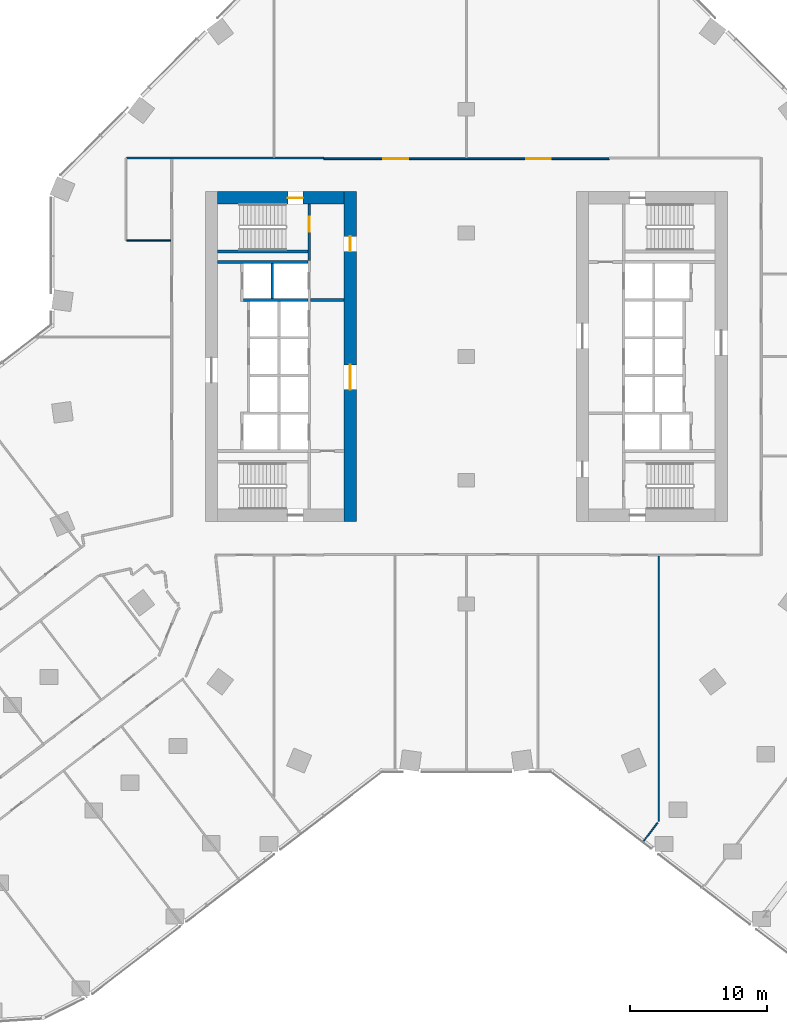
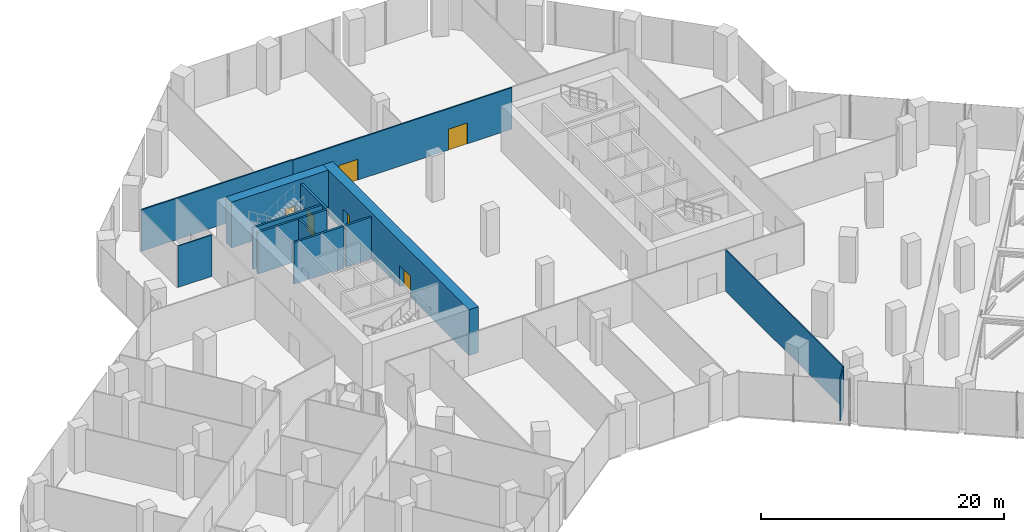
# One storey, part 25 of 30: 13 walls, 6 doors, 6 openings.
"""IFC4 building model written with IfcOpenShell, lengths in metres."""

from ifc_helpers import new_model, si_unit, direction, frame, frame_2d, origin, place, context, subcontext, project, spatial, rectangle, extrude, material, layer, layer_set, type_object, element, fill, save


model = new_model("IFC4")

# Units and contexts
model_context = context("Model", 3, precision=1e-05, world=origin(), true_north=direction((0.0, 1.0)))
body_context = subcontext(model_context, "Body", "Model", "MODEL_VIEW")
ifc_project = project(units=[si_unit("LENGTHUNIT", "METRE"), si_unit("AREAUNIT", "SQUARE_METRE"), si_unit("VOLUMEUNIT", "CUBIC_METRE"), si_unit("PLANEANGLEUNIT", "RADIAN"), si_unit("MASSUNIT", "GRAM", prefix="KILO")], contexts=[model_context])

# Site, building, storey
site_placement = place(None, origin())
site = spatial("IfcSite", under=ifc_project, at=site_placement, CompositionType="ELEMENT")
building_placement = place(site_placement, origin())
building = spatial("IfcBuilding", under=site, at=building_placement, Name="Orlundy Tower", CompositionType="ELEMENT")
storey_placement = place(building_placement, frame((0.0, 0.0, 20.5)))
storey = spatial("IfcBuildingStorey", under=building, at=storey_placement, Name="L03", CompositionType="ELEMENT", Elevation=20.5)

# Wall, opening, door
ifc_material_1 = material(Name="Concrete C80/95", Category="concrete")
ifc_layer_1 = layer(ifc_material_1, 0.89990234375)
ifc_layer_set_1 = layer_set([ifc_layer_1], Name="CORE WALL 900 C80/95")
wall_type_1 = type_object("IfcWallType", Name="CORE WALL 900 C80/95", PredefinedType="SHEAR", material=ifc_layer_set_1)
wall_1_placement = place(storey_placement, frame((-18.10009765625, 11.550048828125, 0.0), z_axis=(0.0, 0.0, 1.0), x_axis=(1.0, 0.0, 0.0)))
wall_1 = element("IfcWall", 1, at=wall_1_placement, inside=storey, type_object=wall_type_1, Name="Core wall W-N L03", PredefinedType="SHEAR", context=body_context, shape_type="SweptSolid", body=[
    extrude(rectangle(XDim=9.2001953125, YDim=0.89990234375, at=frame_2d((4.60009765625, 0.0))), origin(), (0.0, 0.0, 1.0), 4.60009765625),
])
opening_1_placement = place(wall_1_placement, frame((5.10009765625, 0.0, 0.0)))
opening_1 = element("IfcOpeningElement", 2, at=opening_1_placement, cuts=wall_1, Name="Opening 04012", PredefinedType="OPENING", context=body_context, shape_type="SweptSolid", body=[
    extrude(rectangle(XDim=1.10009765625, YDim=2.10009765625, at=frame_2d((0.550048828125, 1.050048828125))), frame((0.0, 0.4599609375, 0.0), z_axis=(0.0, -1.0, 0.0), x_axis=(1.0, 0.0, 0.0)), (0.0, 0.0, 1.0), 0.919921875),
])
ifc_material_2 = material(Name="Steel door set", Category="steel")
door_type_1 = type_object("IfcDoorType", Name="Stair Door 1100x2100", OperationType="SINGLE_SWING_LEFT", PredefinedType="DOOR", material=ifc_material_2)
door_1_placement = place(opening_1_placement, origin())
door_1 = element("IfcDoor", 3, at=door_1_placement, inside=storey, type_object=door_type_1, Name="Stair door 04012", OperationType="SINGLE_SWING_RIGHT", OverallHeight=2.10009765625, OverallWidth=1.10009765625, PredefinedType="DOOR", context=body_context, shape_type="SweptSolid", body=[
    extrude(rectangle(XDim=1.10009765625, YDim=2.10009765625, at=frame_2d((0.550048828125, 1.050048828125))), frame((0.0, 0.02490234375, 0.0), z_axis=(0.0, -1.0, 0.0), x_axis=(1.0, 0.0, 0.0)), (0.0, 0.0, 1.0), 0.050048828125),
])
fill(opening_1, door_1)

# Wall, openings, doors
wall_2_placement = place(storey_placement, frame((-8.449951171875, -12.0, 0.0), z_axis=(0.0, 0.0, 1.0), x_axis=(0.0, 1.0, 0.0)))
wall_2 = element("IfcWall", 4, at=wall_2_placement, inside=storey, type_object=wall_type_1, Name="Core wall W-E L03", PredefinedType="SHEAR", context=body_context, shape_type="SweptSolid", body=[
    extrude(rectangle(XDim=24.0, YDim=0.89990234375, at=frame_2d((12.0, 0.0))), origin(), (0.0, 0.0, 1.0), 4.60009765625),
])
opening_2_placement = place(wall_2_placement, frame((9.60009765625, 0.0, 0.0)))
opening_2 = element("IfcOpeningElement", 5, at=opening_2_placement, cuts=wall_2, Name="Opening 04009", PredefinedType="OPENING", context=body_context, shape_type="SweptSolid", body=[
    extrude(rectangle(XDim=1.800048828125, YDim=2.10009765625, at=frame_2d((0.89990234375, 1.050048828125))), frame((0.0, 0.4599609375, 0.0), z_axis=(0.0, -1.0, 0.0), x_axis=(1.0, 0.0, 0.0)), (0.0, 0.0, 1.0), 0.919921875),
])
opening_3_placement = place(wall_2_placement, frame((19.64990234375, 0.0, 0.0)))
opening_3 = element("IfcOpeningElement", 6, at=opening_3_placement, cuts=wall_2, Name="Opening 04011", PredefinedType="OPENING", context=body_context, shape_type="SweptSolid", body=[
    extrude(rectangle(XDim=1.10009765625, YDim=2.10009765625, at=frame_2d((0.550048828125, 1.050048828125))), frame((0.0, 0.4599609375, 0.0), z_axis=(0.0, -1.0, 0.0), x_axis=(1.0, 0.0, 0.0)), (0.0, 0.0, 1.0), 0.919921875),
])
ifc_material_3 = material(Name="Steel door set", Category="steel")
door_type_2 = type_object("IfcDoorType", Name="Fire-fighting Lobby Door 1100x2100", OperationType="SINGLE_SWING_LEFT", PredefinedType="DOOR", material=ifc_material_3)
door_2_placement = place(opening_3_placement, origin())
door_2 = element("IfcDoor", 7, at=door_2_placement, inside=storey, type_object=door_type_2, Name="Fire-fighting lobby door 04011", OperationType="SINGLE_SWING_RIGHT", OverallHeight=2.10009765625, OverallWidth=1.10009765625, PredefinedType="DOOR", context=body_context, shape_type="SweptSolid", body=[
    extrude(rectangle(XDim=1.10009765625, YDim=2.10009765625, at=frame_2d((0.550048828125, 1.050048828125))), frame((0.0, 0.02490234375, 0.0), z_axis=(0.0, -1.0, 0.0), x_axis=(1.0, 0.0, 0.0)), (0.0, 0.0, 1.0), 0.050048828125),
])
fill(opening_3, door_2)
ifc_material_4 = material(Name="Timber door set", Category="wood")
door_type_3 = type_object("IfcDoorType", Name="Lobby Door 1800x2100", OperationType="DOUBLE_DOOR_DOUBLE_SWING", PredefinedType="DOOR", material=ifc_material_4)
door_3_placement = place(opening_2_placement, origin())
door_3 = element("IfcDoor", 8, at=door_3_placement, inside=storey, type_object=door_type_3, Name="Lift lobby door 04009", OperationType="SINGLE_SWING_LEFT", OverallHeight=2.10009765625, OverallWidth=1.800048828125, PredefinedType="DOOR", context=body_context, shape_type="SweptSolid", body=[
    extrude(rectangle(XDim=1.800048828125, YDim=2.10009765625, at=frame_2d((0.89990234375, 1.050048828125))), frame((0.0, 0.02490234375, 0.0), z_axis=(0.0, -1.0, 0.0), x_axis=(1.0, 0.0, 0.0)), (0.0, 0.0, 1.0), 0.050048828125),
])
fill(opening_2, door_3)

# Walls
ifc_material_5 = material(Name="Gypsum board partition")
ifc_layer_2 = layer(ifc_material_5, 0.10009765625)
ifc_layer_set_2 = layer_set([ifc_layer_2], Name="Floor partition 100")
wall_type_2 = type_object("IfcWallType", Name="Floor partition 100", PredefinedType="PARTITIONING", material=ifc_layer_set_2)
wall_3_placement = place(storey_placement, frame((-24.73193359375, 8.448974609375, 0.0), z_axis=(0.0, 0.0, 1.0), x_axis=(1.0, 0.0, 0.0)))
element("IfcWall", 9, at=wall_3_placement, inside=storey, type_object=wall_type_2, Name="wall-int-L03-031", PredefinedType="PARTITIONING", context=body_context, shape_type="SweptSolid", body=[
    extrude(rectangle(XDim=3.219970703125, YDim=0.10009765625, at=frame_2d((1.60986328125, 0.0))), origin(), (0.0, 0.0, 1.0), 4.159912109375),
])
wall_4_placement = place(storey_placement, frame((12.81689453125, -35.35888671875, 0.0), z_axis=(0.0, 0.0, 1.0), x_axis=(0.608665559583, 0.793426894287, 0.0)))
element("IfcWall", 10, at=wall_4_placement, inside=storey, type_object=wall_type_2, Name="wall-int-L03-053", PredefinedType="PARTITIONING", context=body_context, shape_type="SweptSolid", body=[
    extrude(rectangle(XDim=1.795654296875, YDim=0.10009765625, at=frame_2d((0.89794921875, 0.0))), origin(), (0.0, 0.0, 1.0), 4.159912109375),
])
wall_5_placement = place(storey_placement, frame((14.0, -33.81689453125, 0.0), z_axis=(0.0, 0.0, 1.0), x_axis=(0.0, 1.0, 0.0)))
element("IfcWall", 11, at=wall_5_placement, inside=storey, type_object=wall_type_2, Name="wall-int-L03-059", PredefinedType="PARTITIONING", context=body_context, shape_type="SweptSolid", body=[
    extrude(rectangle(XDim=19.302978515625, YDim=0.10009765625, at=frame_2d((9.6513671875, 0.0))), origin(), (0.0, 0.0, 1.0), 4.159912109375),
])

# Wall, openings, doors
ifc_material_6 = material(Name="Gypsum board partition, double layer")
ifc_layer_3 = layer(ifc_material_6, 0.125)
ifc_layer_set_3 = layer_set([ifc_layer_3], Name="Floor partition 125")
wall_type_3 = type_object("IfcWallType", Name="Floor partition 125", PredefinedType="PARTITIONING", material=ifc_layer_set_3)
wall_6_placement = place(storey_placement, frame((-10.389892578125, 14.40087890625, 0.0), z_axis=(0.0, 0.0, 1.0), x_axis=(1.0, 0.0, 0.0)))
wall_6 = element("IfcWall", 12, at=wall_6_placement, inside=storey, type_object=wall_type_3, Name="wall-int-L03-032", PredefinedType="PARTITIONING", context=body_context, shape_type="SweptSolid", body=[
    extrude(rectangle(XDim=20.781005859375, YDim=0.125, at=frame_2d((10.390625, 0.0))), origin(), (0.0, 0.0, 1.0), 4.159912109375),
])
opening_4_placement = place(wall_6_placement, frame((14.739990234375, 0.0, 0.0)))
opening_4 = element("IfcOpeningElement", 13, at=opening_4_placement, cuts=wall_6, Name="Opening 04125", PredefinedType="OPENING", context=body_context, shape_type="SweptSolid", body=[
    extrude(rectangle(XDim=1.800048828125, YDim=2.10009765625, at=frame_2d((0.89990234375, 1.050048828125))), frame((0.0, 0.072509765625, 0.0), z_axis=(0.0, -1.0, 0.0), x_axis=(1.0, 0.0, 0.0)), (0.0, 0.0, 1.0), 0.14501953125),
])
opening_5_placement = place(wall_6_placement, frame((4.35009765625, 0.0, 0.0)))
opening_5 = element("IfcOpeningElement", 14, at=opening_5_placement, cuts=wall_6, Name="Opening 04126", PredefinedType="OPENING", context=body_context, shape_type="SweptSolid", body=[
    extrude(rectangle(XDim=1.800048828125, YDim=2.10009765625, at=frame_2d((0.89990234375, 1.050048828125))), frame((0.0, 0.072509765625, 0.0), z_axis=(0.0, -1.0, 0.0), x_axis=(1.0, 0.0, 0.0)), (0.0, 0.0, 1.0), 0.14501953125),
])
ifc_material_7 = material(Name="Timber door leaf", Category="wood")
door_type_4 = type_object("IfcDoorType", Name="Floor door double 1800 FD30S", OperationType="NOTDEFINED", PredefinedType="DOOR", material=ifc_material_7)
door_4_placement = place(opening_4_placement, origin())
door_4 = element("IfcDoor", 15, at=door_4_placement, inside=storey, type_object=door_type_4, Name="Door 04125", OperationType="DOUBLE_DOOR_SINGLE_SWING", OverallHeight=2.10009765625, OverallWidth=1.800048828125, PredefinedType="DOOR", context=body_context, shape_type="SweptSolid", body=[
    extrude(rectangle(XDim=1.800048828125, YDim=2.10009765625, at=frame_2d((0.89990234375, 1.050048828125))), frame((0.0, 0.02490234375, 0.0), z_axis=(0.0, -1.0, 0.0), x_axis=(1.0, 0.0, 0.0)), (0.0, 0.0, 1.0), 0.050048828125),
])
fill(opening_4, door_4)
door_5_placement = place(opening_5_placement, origin())
door_5 = element("IfcDoor", 16, at=door_5_placement, inside=storey, type_object=door_type_4, Name="Door 04126", OperationType="DOUBLE_DOOR_SINGLE_SWING", OverallHeight=2.10009765625, OverallWidth=1.800048828125, PredefinedType="DOOR", context=body_context, shape_type="SweptSolid", body=[
    extrude(rectangle(XDim=1.800048828125, YDim=2.10009765625, at=frame_2d((0.89990234375, 1.050048828125))), frame((0.0, 0.02490234375, 0.0), z_axis=(0.0, -1.0, 0.0), x_axis=(1.0, 0.0, 0.0)), (0.0, 0.0, 1.0), 0.050048828125),
])
fill(opening_5, door_5)

# Wall
wall_7_placement = place(storey_placement, frame((-24.73095703125, 14.449951171875, 0.0), z_axis=(0.0, 0.0, 1.0), x_axis=(1.0, 0.0, 0.0)))
element("IfcWall", 17, at=wall_7_placement, inside=storey, type_object=wall_type_3, Name="wall-int-L03-033", PredefinedType="PARTITIONING", context=body_context, shape_type="SweptSolid", body=[
    extrude(rectangle(XDim=14.33984375, YDim=0.125, at=frame_2d((7.169921875, 0.0))), origin(), (0.0, 0.0, 1.0), 4.159912109375),
])

# Wall, opening, door
ifc_material_8 = material(Name="Concrete C40/50", Category="concrete")
ifc_layer_4 = layer(ifc_material_8, 0.199951171875)
ifc_layer_set_4 = layer_set([ifc_layer_4], Name="Load-bearing Shaft Wall 200")
wall_type_4 = type_object("IfcWallType", Name="Load-bearing Shaft Wall 200", PredefinedType="SOLIDWALL", material=ifc_layer_set_4)
wall_8_placement = place(storey_placement, frame((-11.43994140625, 6.97509765625, 0.0), z_axis=(0.0, 0.0, 1.0), x_axis=(0.0, 1.0, 0.0)))
wall_8 = element("IfcWall", 18, at=wall_8_placement, inside=storey, type_object=wall_type_4, Name="Shaft wall W04-stair-end-n", PredefinedType="SOLIDWALL", context=body_context, shape_type="SweptSolid", body=[
    extrude(rectangle(XDim=4.125, YDim=0.199951171875, at=frame_2d((2.0625, 0.0))), origin(), (0.0, 0.0, 1.0), 4.179931640625),
])
opening_6_placement = place(wall_8_placement, frame((2.10009765625, 0.0, 0.0)))
opening_6 = element("IfcOpeningElement", 19, at=opening_6_placement, cuts=wall_8, Name="Opening 04014", PredefinedType="OPENING", context=body_context, shape_type="SweptSolid", body=[
    extrude(rectangle(XDim=1.10009765625, YDim=2.10009765625, at=frame_2d((0.550048828125, 1.050048828125))), frame((0.0, 0.110107421875, 0.0), z_axis=(0.0, -1.0, 0.0), x_axis=(1.0, 0.0, 0.0)), (0.0, 0.0, 1.0), 0.22021484375),
])
door_6_placement = place(opening_6_placement, origin())
door_6 = element("IfcDoor", 20, at=door_6_placement, inside=storey, type_object=door_type_2, Name="Fire-fighting lobby to stair door 04014", OperationType="SINGLE_SWING_RIGHT", OverallHeight=2.10009765625, OverallWidth=1.10009765625, PredefinedType="DOOR", context=body_context, shape_type="SweptSolid", body=[
    extrude(rectangle(XDim=1.10009765625, YDim=2.10009765625, at=frame_2d((0.550048828125, 1.050048828125))), frame((0.0, 0.02490234375, 0.0), z_axis=(0.0, -1.0, 0.0), x_axis=(1.0, 0.0, 0.0)), (0.0, 0.0, 1.0), 0.050048828125),
])
fill(opening_6, door_6)

# Walls
wall_9_placement = place(storey_placement, frame((-11.5400390625, 7.64990234375, 0.0), z_axis=(0.0, 0.0, 1.0), x_axis=(-1.0, 0.0, 0.0)))
element("IfcWall", 21, at=wall_9_placement, inside=storey, type_object=wall_type_4, Name="Shaft wall W04-stair-side-n", PredefinedType="SOLIDWALL", context=body_context, shape_type="SweptSolid", body=[
    extrude(rectangle(XDim=6.56005859375, YDim=0.199951171875, at=frame_2d((3.280029296875, 0.0))), origin(), (0.0, 0.0, 1.0), 4.179931640625),
])
ifc_material_9 = material(Name="Gypsum board partition on steel studs", Category="steel")
ifc_layer_5 = layer(ifc_material_9, 0.199951171875)
ifc_layer_set_5 = layer_set([ifc_layer_5], Name="Partition 200")
wall_type_5 = type_object("IfcWallType", Name="Partition 200", PredefinedType="PARTITIONING", material=ifc_layer_set_5)
wall_10_placement = place(storey_placement, frame((-8.89990234375, 4.125, 0.0), z_axis=(0.0, 0.0, 1.0), x_axis=(-1.0, 0.0, 0.0)))
element("IfcWall", 22, at=wall_10_placement, inside=storey, type_object=wall_type_5, Name="Partition wall W04-lobby-n", PredefinedType="PARTITIONING", context=body_context, shape_type="SweptSolid", body=[
    extrude(rectangle(XDim=2.440185546875, YDim=0.199951171875, at=frame_2d((1.22021484375, 0.0))), origin(), (0.0, 0.0, 1.0), 4.179931640625),
])
ifc_material_10 = material(Name="Fire-rated blockwork shaft wall", Category="masonry")
ifc_layer_6 = layer(ifc_material_10, 0.199951171875)
ifc_layer_set_6 = layer_set([ifc_layer_6], Name="Shaft Wall 200")
wall_type_6 = type_object("IfcWallType", Name="Shaft Wall 200", PredefinedType="SOLIDWALL", material=ifc_layer_set_6)
wall_11_placement = place(storey_placement, frame((-11.5400390625, 6.875, 0.0), z_axis=(0.0, 0.0, 1.0), x_axis=(-1.0, 0.0, 0.0)))
element("IfcWall", 23, at=wall_11_placement, inside=storey, type_object=wall_type_6, Name="Shaft wall W04-zone-n", PredefinedType="SOLIDWALL", context=body_context, shape_type="SweptSolid", body=[
    extrude(rectangle(XDim=6.56005859375, YDim=0.199951171875, at=frame_2d((3.280029296875, 0.0))), origin(), (0.0, 0.0, 1.0), 4.179931640625),
])
wall_12_placement = place(storey_placement, frame((-11.5400390625, 4.125, 0.0), z_axis=(0.0, 0.0, 1.0), x_axis=(-1.0, 0.0, 0.0)))
element("IfcWall", 24, at=wall_12_placement, inside=storey, type_object=wall_type_6, Name="Shaft wall W04-cross+4.125", PredefinedType="SOLIDWALL", context=body_context, shape_type="SweptSolid", body=[
    extrude(rectangle(XDim=4.699951171875, YDim=0.199951171875, at=frame_2d((2.35009765625, 0.0))), origin(), (0.0, 0.0, 1.0), 4.179931640625),
])
wall_13_placement = place(storey_placement, frame((-14.139892578125, 4.22509765625, 0.0), z_axis=(0.0, 0.0, 1.0), x_axis=(0.0, 1.0, 0.0)))
element("IfcWall", 25, at=wall_13_placement, inside=storey, type_object=wall_type_6, Name="Shaft wall W04-mid-b", PredefinedType="SOLIDWALL", context=body_context, shape_type="SweptSolid", body=[
    extrude(rectangle(XDim=2.5498046875, YDim=0.199951171875, at=frame_2d((1.27490234375, 0.0))), origin(), (0.0, 0.0, 1.0), 4.179931640625),
])

save(model, "model.ifc")
